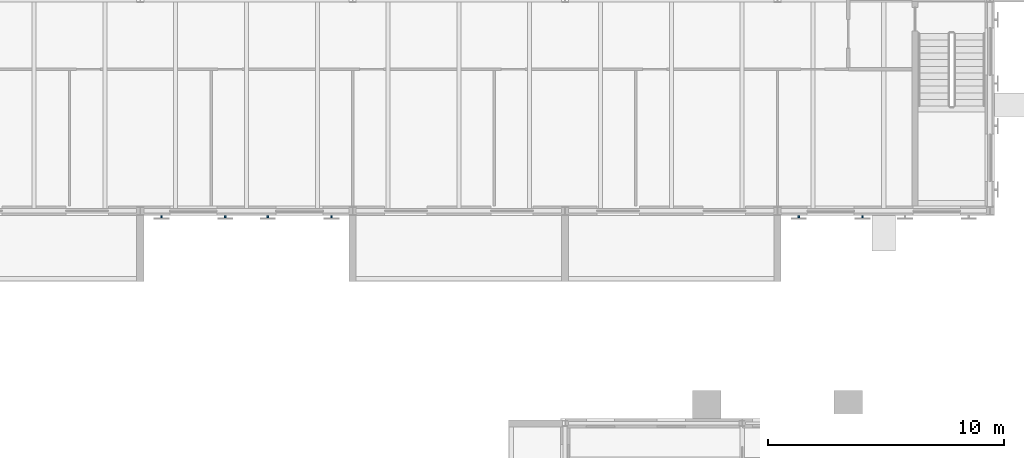
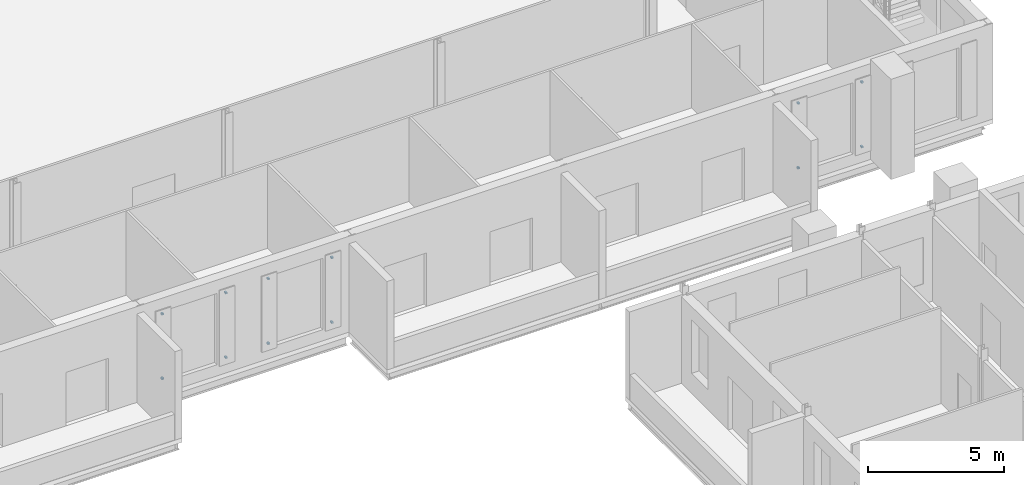
# One storey, part 105 of 134: 12 discrete accessories.
"""IFC4 building model written with IfcOpenShell, lengths in metres."""

from ifc_helpers import new_model, si_unit, direction, frame, origin, origin_2d, place, context, subcontext, project, spatial, rectangle, extrude, material, type_object, element, save


model = new_model("IFC4")

# Units and contexts
model_context = context("Model", 3, precision=1e-05, world=origin(), true_north=direction((0.0, 1.0)))
body_context = subcontext(model_context, "Body", "Model", "MODEL_VIEW")
ifc_project = project(units=[si_unit("LENGTHUNIT", "METRE"), si_unit("AREAUNIT", "SQUARE_METRE"), si_unit("VOLUMEUNIT", "CUBIC_METRE"), si_unit("PLANEANGLEUNIT", "RADIAN"), si_unit("MASSUNIT", "GRAM", prefix="KILO")], contexts=[model_context])

# Site, building, storey
site_placement = place(None, origin())
site = spatial("IfcSite", under=ifc_project, at=site_placement, CompositionType="ELEMENT")
building_placement = place(site_placement, origin())
building = spatial("IfcBuilding", under=site, at=building_placement, Name="Golden Quay Civic Hall", CompositionType="ELEMENT")
storey_placement = place(building_placement, frame((0.0, 0.0, 5.39990234375)))
storey = spatial("IfcBuildingStorey", under=building, at=storey_placement, Name="L01", CompositionType="ELEMENT", Elevation=5.39990234375)

# Discrete accessories
ifc_material = material(Name="Steel S355", Category="steel")
discrete_accessory_type = type_object("IfcDiscreteAccessoryType", Name="Steel shutter bracket", PredefinedType="BRACKET", material=ifc_material)
for number, where, z_axis, x_axis, name in (
    (1, (135.89990234375, 62.75, 0.7099609375), (0.0, 0.0, 1.0), (1.0, 0.0, 0.0), "Shutter bracket L01-S202a-1"),
    (2, (135.89990234375, 62.75, 3.610107421875), (0.0, 0.0, 1.0), (1.0, 0.0, 0.0), "Shutter bracket L01-S202a-2"),
    (3, (138.60009765625, 62.75, 0.7099609375), (0.0, 0.0, 1.0), (1.0, 0.0, 0.0), "Shutter bracket L01-S202b-1"),
    (4, (138.60009765625, 62.75, 3.610107421875), (0.0, 0.0, 1.0), (1.0, 0.0, 0.0), "Shutter bracket L01-S202b-2"),
    (5, (140.39990234375, 62.75, 0.7099609375), (0.0, 0.0, 1.0), (1.0, 0.0, 0.0), "Shutter bracket L01-S247a-1"),
    (6, (140.39990234375, 62.75, 3.610107421875), (0.0, 0.0, 1.0), (1.0, 0.0, 0.0), "Shutter bracket L01-S247a-2"),
    (7, (143.10009765625, 62.75, 0.7099609375), (0.0, 0.0, 1.0), (1.0, 0.0, 0.0), "Shutter bracket L01-S247b-1"),
    (8, (143.10009765625, 62.75, 3.610107421875), (0.0, 0.0, 1.0), (1.0, 0.0, 0.0), "Shutter bracket L01-S247b-2"),
    (9, (162.89990234375, 62.75, 0.7099609375), (0.0, 0.0, 1.0), (1.0, 0.0, 0.0), "Shutter bracket L01-S472a-1"),
    (10, (162.89990234375, 62.75, 3.610107421875), (0.0, 0.0, 1.0), (1.0, 0.0, 0.0), "Shutter bracket L01-S472a-2"),
    (11, (165.60009765625, 62.75, 0.7099609375), (0.0, 0.0, 1.0), (1.0, 0.0, 0.0), "Shutter bracket L01-S472b-1"),
    (12, (165.60009765625, 62.75, 3.610107421875), (0.0, 0.0, 1.0), (1.0, 0.0, 0.0), "Shutter bracket L01-S472b-2"),
):
    element("IfcDiscreteAccessory", number, at=place(storey_placement, frame(where, z_axis=z_axis, x_axis=x_axis)), inside=storey, type_object=discrete_accessory_type, Name=name, PredefinedType="BRACKET", context=body_context, shape_type="SweptSolid", body=[
        extrude(rectangle(XDim=0.080078125, YDim=0.10009765625, at=origin_2d()), origin(), (0.0, 0.0, 1.0), 0.080078125),
    ])

save(model, "model.ifc")
